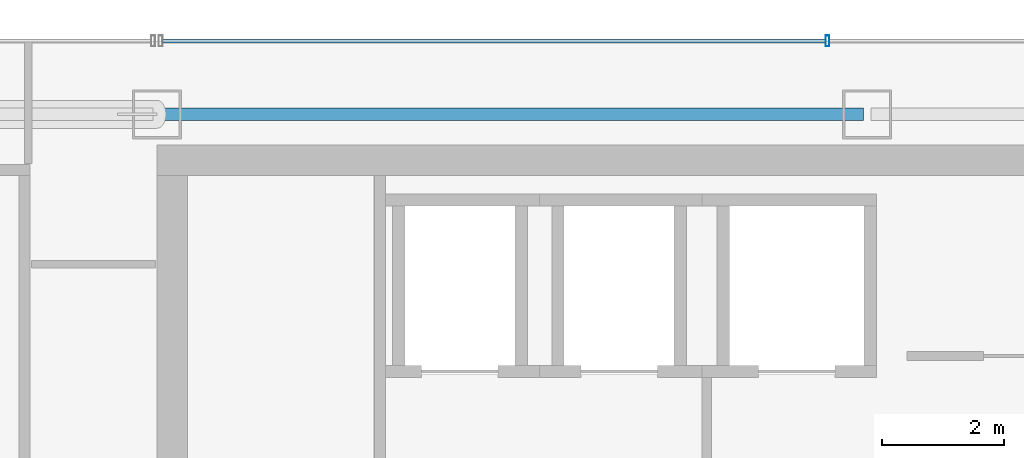
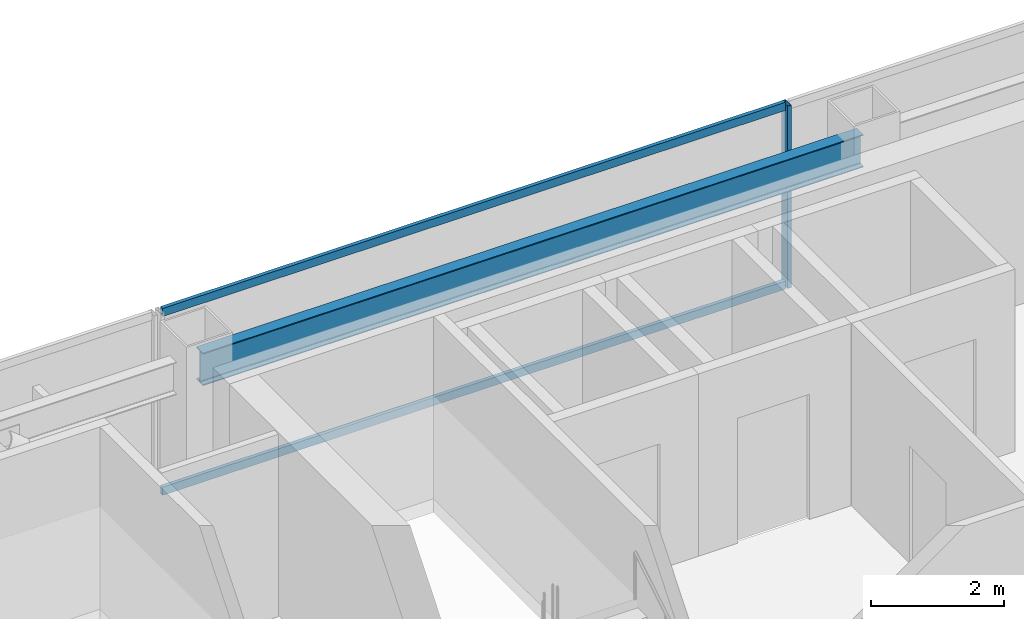
# One storey, part 22 of 34: 3 members, 1 beam, 1 element without a shape of its own.
"""IFC4 building model written with IfcOpenShell, lengths in metres."""

from ifc_helpers import new_model, si_unit, direction, frame, origin, origin_2d, place, context, subcontext, project, spatial, hollow_rectangle, i_section, extrude, material, material_profile, profile_set, type_object, element, aggregate, save


model = new_model("IFC4")

# Units and contexts
model_context = context("Model", 3, precision=1e-05, world=origin(), true_north=direction((0.0, 1.0)))
body_context = subcontext(model_context, "Body", "Model", "MODEL_VIEW")
ifc_project = project(units=[si_unit("LENGTHUNIT", "METRE"), si_unit("AREAUNIT", "SQUARE_METRE"), si_unit("VOLUMEUNIT", "CUBIC_METRE"), si_unit("PLANEANGLEUNIT", "RADIAN"), si_unit("MASSUNIT", "GRAM", prefix="KILO")], contexts=[model_context])

# Site, building, storey
site_placement = place(None, origin())
site = spatial("IfcSite", under=ifc_project, at=site_placement, CompositionType="ELEMENT")
building_placement = place(site_placement, origin())
building = spatial("IfcBuilding", under=site, at=building_placement, Name="Saevonmaru Cultural Tower", CompositionType="ELEMENT")
storey_placement = place(building_placement, frame((0.0, 0.0, 220.800048828125)))
storey = spatial("IfcBuildingStorey", under=building, at=storey_placement, Name="L51", CompositionType="ELEMENT", Elevation=220.800048828125)

# Beam
ifc_material_1 = material(Name="Steel SM355", Category="steel")
ifc_material_profile_1 = material_profile(ifc_material_1, i_section(OverallWidth=0.199951171875, OverallDepth=0.60009765625, WebThickness=0.010986328125, FlangeThickness=0.01708984375, FilletRadius=0.02197265625, at=origin_2d()), Name="H-600x200x11x17")
ifc_profile_set_1 = profile_set([ifc_material_profile_1], Name="Steel SM355")
beam_type = type_object("IfcBeamType", Name="BM-SP-H600", PredefinedType="SPANDREL", material=ifc_profile_set_1)
beam_placement = place(storey_placement, frame((13.659912109375, 54.800048828125, 3.050048828125), z_axis=(1.0, 0.0, 0.0), x_axis=(0.0, 1.0, 0.0)))
element("IfcBeam", 1, at=beam_placement, inside=storey, type_object=beam_type, Name="L51 North Spine Girder 2", PredefinedType="SPANDREL", context=body_context, shape_type="SweptSolid", body=[
    extrude(i_section(OverallWidth=0.199951171875, OverallDepth=0.60009765625, WebThickness=0.010986328125, FlangeThickness=0.01708984375, FilletRadius=0.02197265625, at=origin_2d()), origin(), (0.0, 0.0, 1.0), 11.47998046875),
])

# Curtain wall, members
ifc_material_2 = material(Name="Satin Bronze Anodised Aluminium", Category="aluminium")
curtain_wall_type = type_object("IfcCurtainWallType", Name="CW-TYP-B", PredefinedType="NOTDEFINED", material=ifc_material_2)
curtain_wall_placement = place(storey_placement, origin())
curtain_wall = element("IfcCurtainWall", 2, at=curtain_wall_placement, inside=storey, type_object=curtain_wall_type, Name="L51 North Spine Unitised Curtain Wall E10B", PredefinedType="NOTDEFINED")
ifc_material_profile_2 = material_profile(ifc_material_2, hollow_rectangle(XDim=0.06494140625, YDim=0.179931640625, WallThickness=0.00390625, at=origin_2d()), Name="ALU-MULL-180x65x4")
ifc_profile_set_2 = profile_set([ifc_material_profile_2], Name="Satin Bronze Anodised Aluminium")
member_type_1 = type_object("IfcMemberType", Name="ML-CW-180x65", PredefinedType="MULLION", material=ifc_profile_set_2)
member_1_placement = place(storey_placement, frame((24.55322265625, 56.0, 0.0), z_axis=(0.0, 0.0, 1.0), x_axis=(-1.0, 0.0, 0.0)))
member_1 = element("IfcMember", 3, at=member_1_placement, type_object=member_type_1, Name="CW-TW-L51-E10B mullion 3", PredefinedType="MULLION", context=body_context, shape_type="SweptSolid", body=[
    extrude(hollow_rectangle(XDim=0.06494140625, YDim=0.179931640625, WallThickness=0.00390625, at=origin_2d()), origin(), (0.0, 0.0, 1.0), 3.349853515625),
])
ifc_material_profile_3 = material_profile(ifc_material_2, hollow_rectangle(XDim=0.06494140625, YDim=0.14990234375, WallThickness=0.00390625, at=origin_2d()), Name="ALU-TRAN-150x65x4")
ifc_profile_set_3 = profile_set([ifc_material_profile_3], Name="Satin Bronze Anodised Aluminium")
member_type_2 = type_object("IfcMemberType", Name="TR-CW-150x65", PredefinedType="USERDEFINED", material=ifc_profile_set_3)
member_2_placement = place(storey_placement, frame((24.520751953125, 56.0, 0.032470703125), z_axis=(-1.0, 0.0, 0.0), x_axis=(0.0, -1.0, 0.0)))
member_2 = element("IfcMember", 4, at=member_2_placement, type_object=member_type_2, Name="CW-TW-L51-E10B transom 3.1", ObjectType="TRANSOM", PredefinedType="USERDEFINED", context=body_context, shape_type="SweptSolid", body=[
    extrude(hollow_rectangle(XDim=0.06494140625, YDim=0.14990234375, WallThickness=0.00390625, at=origin_2d()), origin(), (0.0, 0.0, 1.0), 10.828369140625),
])
member_3_placement = place(storey_placement, frame((24.520751953125, 56.0, 3.3173828125), z_axis=(-1.0, 0.0, 0.0), x_axis=(0.0, -1.0, 0.0)))
member_3 = element("IfcMember", 5, at=member_3_placement, type_object=member_type_2, Name="CW-TW-L51-E10B transom 3.2", ObjectType="TRANSOM", PredefinedType="USERDEFINED", context=body_context, shape_type="SweptSolid", body=[
    extrude(hollow_rectangle(XDim=0.06494140625, YDim=0.14990234375, WallThickness=0.00390625, at=origin_2d()), origin(), (0.0, 0.0, 1.0), 10.828369140625),
])
aggregate(curtain_wall, [member_1, member_2, member_3])

save(model, "model.ifc")
